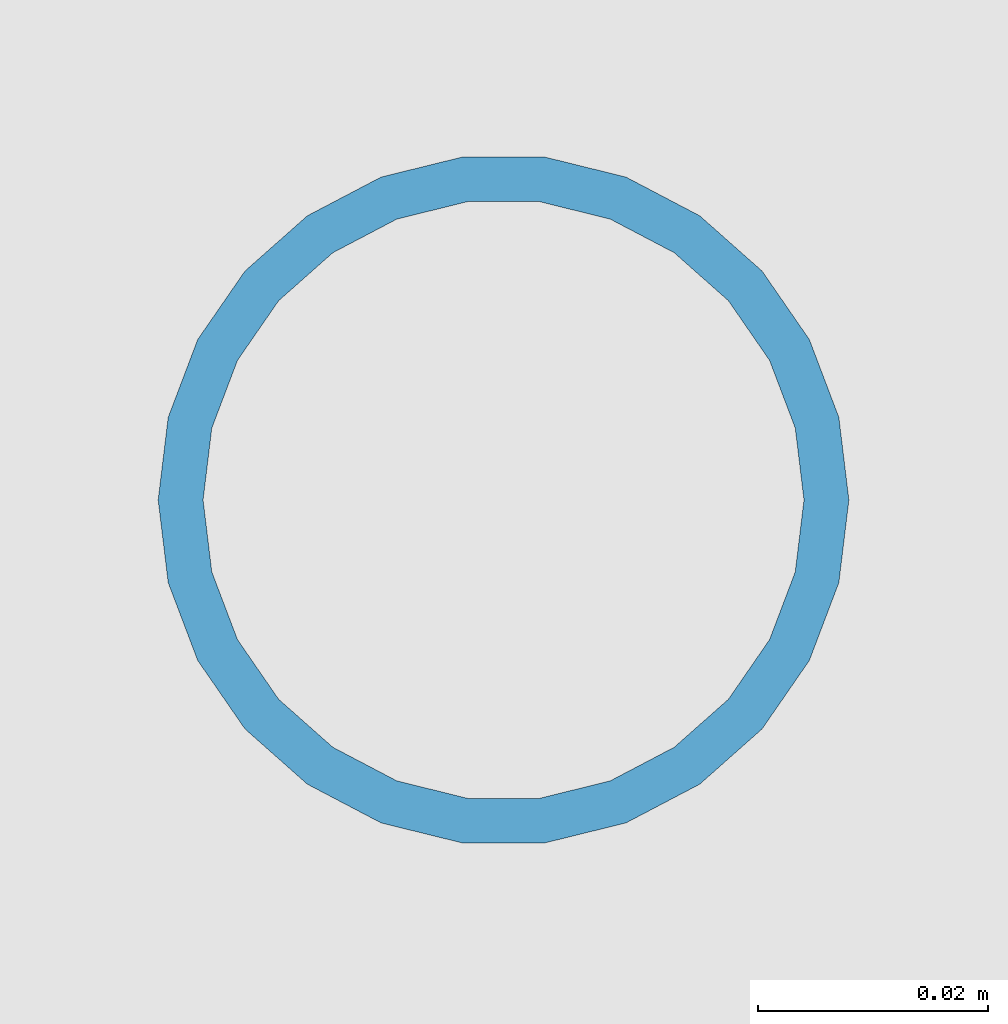
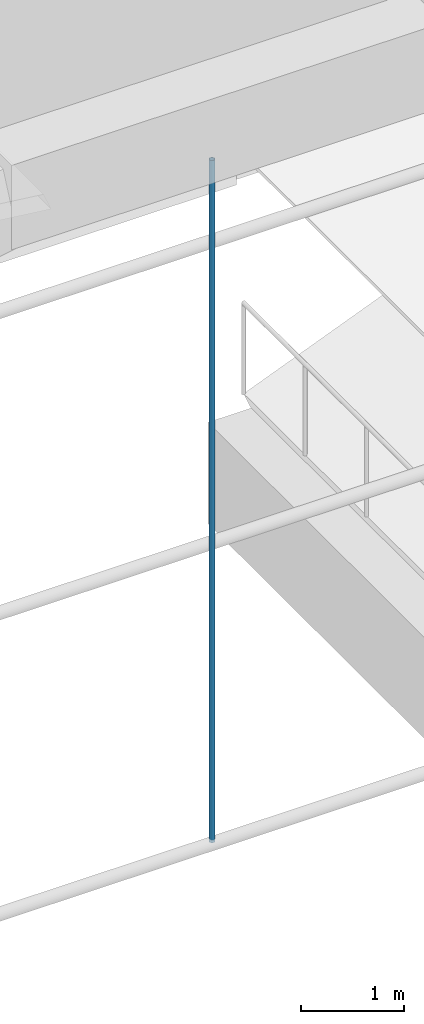
# One storey, part 29 of 94: 1 member.
"""IFC4 building model written with IfcOpenShell, lengths in metres."""

from ifc_helpers import new_model, si_unit, direction, frame, origin, origin_2d, place, context, subcontext, project, spatial, hollow_circle, extrude, material, material_profile, profile_set, type_object, element, save


model = new_model("IFC4")

# Units and contexts
model_context = context("Model", 3, precision=1e-05, world=origin(), true_north=direction((0.0, 1.0)))
body_context = subcontext(model_context, "Body", "Model", "MODEL_VIEW")
ifc_project = project(units=[si_unit("LENGTHUNIT", "METRE"), si_unit("AREAUNIT", "SQUARE_METRE"), si_unit("VOLUMEUNIT", "CUBIC_METRE"), si_unit("PLANEANGLEUNIT", "RADIAN"), si_unit("MASSUNIT", "GRAM", prefix="KILO")], contexts=[model_context])

# Site, building, storey
site_placement = place(None, origin())
site = spatial("IfcSite", under=ifc_project, at=site_placement, CompositionType="ELEMENT")
building_placement = place(site_placement, origin())
building = spatial("IfcBuilding", under=site, at=building_placement, Name="Lunette Opera House", CompositionType="ELEMENT")
storey_placement = place(building_placement, frame((0.0, 0.0, 22.5)))
storey = spatial("IfcBuildingStorey", under=building, at=storey_placement, Name="L04", CompositionType="ELEMENT", Elevation=22.5)

# Member
ifc_material = material(Name="Steel S355", Category="steel")
ifc_material_profile = material_profile(ifc_material, hollow_circle(Radius=0.030029296875, WallThickness=0.00390625, at=origin_2d()), Name="CHS 60.3X4")
ifc_profile_set = profile_set([ifc_material_profile], Name="Steel S355")
member_type = type_object("IfcMemberType", Name="CHS 60.3X4", PredefinedType="POST", material=ifc_profile_set)
member_placement = place(storey_placement, frame((96.0, 81.95703125, 2.72998046875), z_axis=(0.0, 0.0, 1.0), x_axis=(1.0, 0.0, 0.0)))
element("IfcMember", 1, at=member_placement, inside=storey, type_object=member_type, Name="mem-AU-L04-HG5-96", PredefinedType="POST", context=body_context, shape_type="SweptSolid", body=[
    extrude(hollow_circle(Radius=0.030029296875, WallThickness=0.00390625, at=origin_2d()), origin(), (0.0, 0.0, 1.0), 8.08203125),
])

save(model, "model.ifc")
